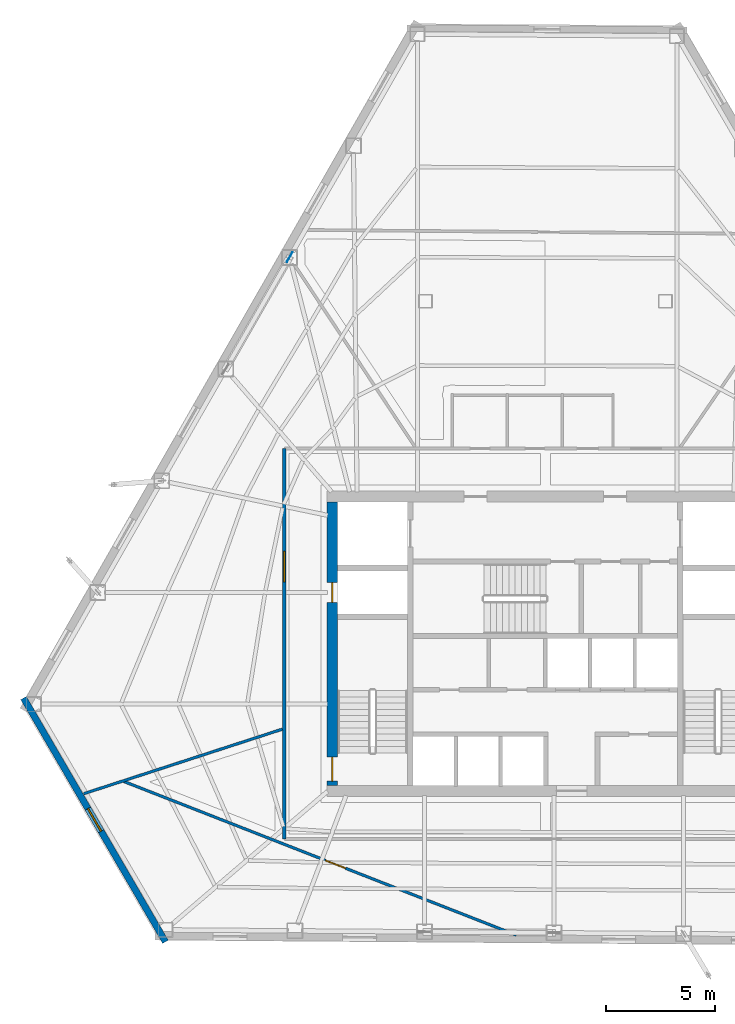
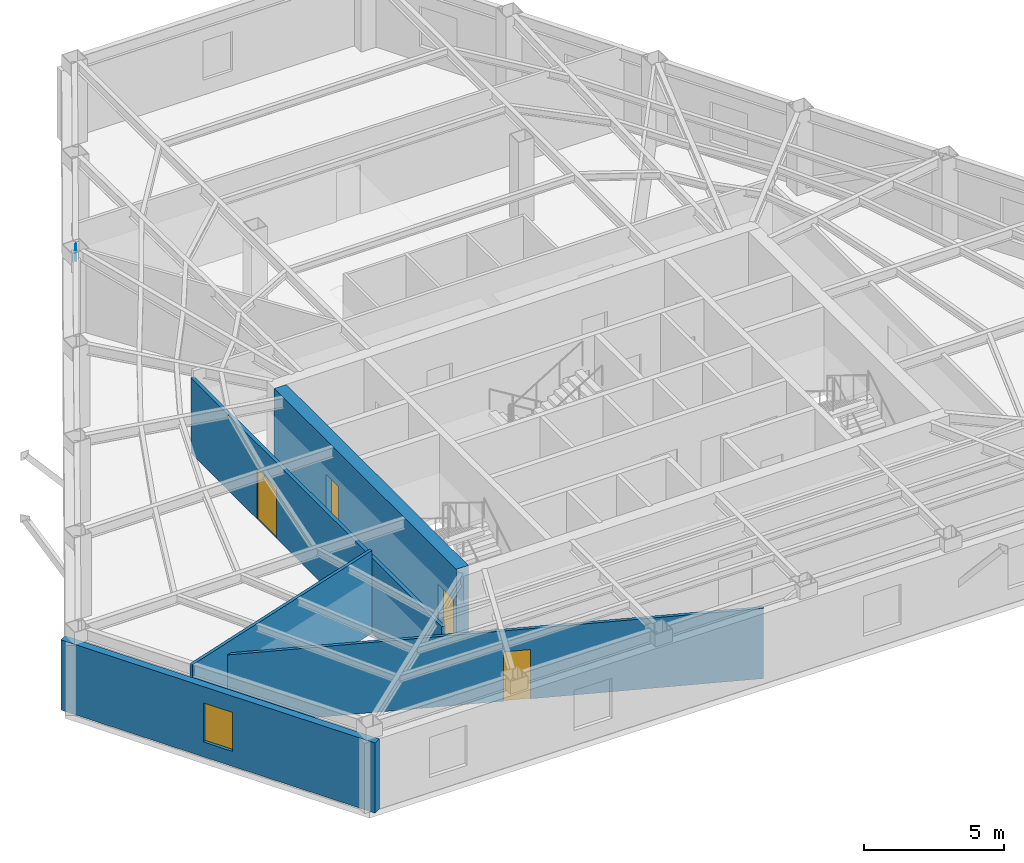
# One storey, part 8 of 13: 5 walls, 4 doors, 1 plate, 1 window, 5 openings.
"""IFC4 building model written with IfcOpenShell, lengths in metres."""

import ifcopenshell
import ifcopenshell.guid

model = None  # the IFC model being written
_history = None  # IfcOwnerHistory: only IFC2X3 demands one
_inside = {}  # id of a spatial element -> (the spatial element, [elements in it])
_under = {}  # id of a project, library or spatial element -> (it, [spatial elements below it])
_declared = {}  # id of a project -> (the project, [libraries it declares])
_typed = {}  # id of a type object -> (the type object, [elements of that type])
_made_of = {}  # id of a material, layer set ... -> (it, [elements and type objects made of it])


def new_model(schema):
    """Start an empty IFC model of exactly this schema.

    Asked for "IFC4X3", IfcOpenShell would pick the latest addendum, in which some entities
    have other attributes; the version numbers below select the first issue.
    IFC2X3 requires an IfcOwnerHistory on every rooted entity: one is made here for all.
    """
    global model, _history
    if schema == "IFC4X3":
        model = ifcopenshell.file(schema_version=(4, 3, 0, 0))
    else:
        model = ifcopenshell.file(schema=schema)
    _inside.clear()
    _under.clear()
    _declared.clear()
    _typed.clear()
    _made_of.clear()
    _history = None
    if model.schema == "IFC2X3":
        org = make("IfcOrganization", Name="unknown")
        user = make(
            "IfcPersonAndOrganization",
            ThePerson=make("IfcPerson", FamilyName="unknown"),
            TheOrganization=org,
        )
        app = make(
            "IfcApplication",
            ApplicationDeveloper=org,
            Version="unknown",
            ApplicationFullName="unknown",
            ApplicationIdentifier="unknown",
        )
        _history = make(
            "IfcOwnerHistory",
            OwningUser=user,
            OwningApplication=app,
            ChangeAction="ADDED",
            CreationDate=0,
        )
    return model


def make(cls, **values):
    """One entity of the class cls with the attributes given. An attribute that is None is left unset."""
    return model.create_entity(
        cls, **{name: value for name, value in values.items() if value is not None}
    )


def rooted(cls, **values):
    """An entity with a GlobalId (a new one), such as an element, a storey or a relation."""
    return make(cls, GlobalId=ifcopenshell.guid.new(), OwnerHistory=_history, **values)


def si_unit(unit_type, name, prefix=None):
    """IfcSIUnit, for example si_unit("LENGTHUNIT", "METRE", prefix="MILLI")."""
    return make("IfcSIUnit", UnitType=unit_type, Prefix=prefix, Name=name)


def assignment(units):
    """IfcUnitAssignment: the units of a project."""
    return None if units is None else make("IfcUnitAssignment", Units=units)


def point(xyz):
    """IfcCartesianPoint."""
    return None if xyz is None else make("IfcCartesianPoint", Coordinates=xyz)


def direction(xyz):
    """IfcDirection."""
    return None if xyz is None else make("IfcDirection", DirectionRatios=xyz)


def frame(location, z_axis=None, x_axis=None):
    """IfcAxis2Placement3D, a coordinate frame: its origin and axes. An axis left out is left unset."""
    return make(
        "IfcAxis2Placement3D",
        Location=point(location),
        Axis=direction(z_axis),
        RefDirection=direction(x_axis),
    )


def frame_2d(location, x_axis=None):
    """IfcAxis2Placement2D, a coordinate frame in the plane: its origin and x axis."""
    return make(
        "IfcAxis2Placement2D", Location=point(location), RefDirection=direction(x_axis)
    )


def origin():
    """The frame at (0, 0, 0) with its axes left unset."""
    return frame((0.0, 0.0, 0.0))


def origin_2d():
    """The frame at (0, 0) in the plane with its x axis left unset."""
    return frame_2d((0.0, 0.0))


def place(relative_to, where):
    """IfcLocalPlacement: puts the frame where relative to a parent placement (None: the world)."""
    return make(
        "IfcLocalPlacement", PlacementRelTo=relative_to, RelativePlacement=where
    )


def context(
    kind, dimensions, precision=None, world=None, true_north=None, identifier=None
):
    """IfcGeometricRepresentationContext, for example the 3D "Model" context."""
    return make(
        "IfcGeometricRepresentationContext",
        ContextIdentifier=identifier,
        ContextType=kind,
        CoordinateSpaceDimension=dimensions,
        Precision=precision,
        WorldCoordinateSystem=world,
        TrueNorth=true_north,
    )


def subcontext(parent, identifier, kind, view, scale=None):
    """IfcGeometricRepresentationSubContext, for example "Body" below "Model"."""
    return make(
        "IfcGeometricRepresentationSubContext",
        ContextIdentifier=identifier,
        ContextType=kind,
        ParentContext=parent,
        TargetScale=scale,
        TargetView=view,
    )


def project(units=None, contexts=None):
    """IfcProject with its units and contexts."""
    return rooted(
        "IfcProject",
        Name="project",
        RepresentationContexts=contexts,
        UnitsInContext=assignment(units),
    )


def spatial(cls, under=None, at=None, **own):
    """A site, building, storey or space (cls), placed at a placement, below another one or the project."""
    s = rooted(cls, ObjectPlacement=at, **own)
    if under is not None:
        _under.setdefault(under.id(), (under, []))[1].append(s)
    return s


def profile(cls, at=None, kind="AREA", **sizes):
    """A parametric profile (cls). Its sizes go by their IFC names, for example OverallWidth=200.0."""
    return make(cls, ProfileType=kind, Position=at, **sizes)


def rectangle(**sizes):
    """IfcRectangleProfileDef."""
    return profile("IfcRectangleProfileDef", **sizes)


def extrude(swept, where, along, depth):
    """IfcExtrudedAreaSolid: the profile swept, set in the frame where, extruded along a direction by depth."""
    return make(
        "IfcExtrudedAreaSolid",
        SweptArea=swept,
        Position=where,
        ExtrudedDirection=direction(along),
        Depth=depth,
    )


def shape(context_of_items, identifier, shape_type, items):
    """IfcShapeRepresentation: the items that make up one representation, for example the "Body"."""
    return make(
        "IfcShapeRepresentation",
        ContextOfItems=context_of_items,
        RepresentationIdentifier=identifier,
        RepresentationType=shape_type,
        Items=items,
    )


def material(Name=None, Category=None):
    """IfcMaterial."""
    return make("IfcMaterial", Name=Name, Category=Category)


def layer(
    of_material, thickness, ventilated=None, Name=None, Category=None, Priority=None
):
    """IfcMaterialLayer: one layer of a wall or slab, of a material (None: an air gap)."""
    return make(
        "IfcMaterialLayer",
        Material=of_material,
        LayerThickness=thickness,
        IsVentilated=ventilated,
        Name=Name,
        Category=Category,
        Priority=Priority,
    )


def layer_set(layers, Name=None):
    """IfcMaterialLayerSet."""
    return make("IfcMaterialLayerSet", MaterialLayers=layers, LayerSetName=Name)


def made_of(thing, what):
    """Note that an element or type object is made of a material, layer set ...; save() writes the relation."""
    if what is not None:
        _made_of.setdefault(what.id(), (what, []))[1].append(thing)
    return thing


def type_object(cls, material=None, **own):
    """A type object (cls), such as IfcWallType, which elements share."""
    return made_of(rooted(cls, **own), material)


def element(
    cls,
    number,
    at=None,
    inside=None,
    cuts=None,
    type_object=None,
    material=None,
    context=None,
    identifier="Body",
    shape_type=None,
    held_by="IfcProductDefinitionShape",
    body=None,
    shapes=None,
    **own,
):
    """One element of the class cls, such as IfcWall. Its Tag is "e" and its number.

    at: its placement. inside: the storey or other place that contains it. cuts: it is an
    opening in that element (IfcRelVoidsElement). A single representation is given by context,
    identifier, shape_type and body (its items); several are given by shapes. held_by: the class
    of the entity that holds the representations. save() writes the other relations.
    """
    e = rooted(cls, Tag="e%d" % number, ObjectPlacement=at, **own)
    if body is not None:
        shapes = [shape(context, identifier, shape_type, body)]
    if shapes is not None:
        e.Representation = make(held_by, Representations=shapes)
    if inside is not None:
        _inside.setdefault(inside.id(), (inside, []))[1].append(e)
    if cuts is not None:
        rooted(
            "IfcRelVoidsElement", RelatingBuildingElement=cuts, RelatedOpeningElement=e
        )
    if type_object is not None:
        _typed.setdefault(type_object.id(), (type_object, []))[1].append(e)
    return made_of(e, material)


def fill(opening, filler):
    """IfcRelFillsElement: the door or window that sits in an opening."""
    return rooted(
        "IfcRelFillsElement",
        RelatingOpeningElement=opening,
        RelatedBuildingElement=filler,
    )


def aggregate(whole, parts):
    """IfcRelAggregates: a whole, such as a stair, and the parts it consists of."""
    return rooted("IfcRelAggregates", RelatingObject=whole, RelatedObjects=parts)


def save(model, path):
    """Write the relations noted so far, then the file.

    IfcRelAggregates (storeys below a building ...), IfcRelContainedInSpatialStructure (elements
    in a storey), IfcRelDefinesByType, IfcRelAssociatesMaterial and IfcRelDeclares: one each for
    every whole, place, type object, material and project.
    """
    for whole, parts in _under.values():
        aggregate(whole, parts)
    for where, things in _inside.values():
        rooted(
            "IfcRelContainedInSpatialStructure",
            RelatedElements=things,
            RelatingStructure=where,
        )
    for kind, things in _typed.values():
        rooted("IfcRelDefinesByType", RelatedObjects=things, RelatingType=kind)
    for what, things in _made_of.values():
        rooted("IfcRelAssociatesMaterial", RelatedObjects=things, RelatingMaterial=what)
    for by, libraries in _declared.values():
        rooted("IfcRelDeclares", RelatingContext=by, RelatedDefinitions=libraries)
    model.write(path)


model = new_model("IFC4")

# Units and contexts
model_context = context("Model", 3, precision=1e-05, world=origin(), true_north=direction((0.0, 1.0)))
body_context = subcontext(model_context, "Body", "Model", "MODEL_VIEW")
ifc_project = project(units=[si_unit("LENGTHUNIT", "METRE"), si_unit("AREAUNIT", "SQUARE_METRE"), si_unit("VOLUMEUNIT", "CUBIC_METRE"), si_unit("PLANEANGLEUNIT", "RADIAN"), si_unit("MASSUNIT", "GRAM", prefix="KILO")], contexts=[model_context])

# Site, building, storey
site_placement = place(None, origin())
site = spatial("IfcSite", under=ifc_project, at=site_placement, CompositionType="ELEMENT")
building_placement = place(site_placement, origin())
building = spatial("IfcBuilding", under=site, at=building_placement, Name="Kavelnor Concourse Tower", CompositionType="ELEMENT")
storey_placement = place(building_placement, frame((0.0, 0.0, 116.300048828125)))
storey = spatial("IfcBuildingStorey", under=building, at=storey_placement, Name="L29", CompositionType="ELEMENT", Elevation=116.300048828125)

# Plate
ifc_material_1 = material(Name="Steel Grade 350", Category="steel")
ifc_layer_1 = layer(ifc_material_1, 0.031982421875, Name="Steel Grade 350")
ifc_layer_set_1 = layer_set([ifc_layer_1], Name="Steel Grade 350")
plate_type = type_object("IfcPlateType", Name="PL-GUSSET-TUBE-Z1", PredefinedType="USERDEFINED", material=ifc_layer_set_1)
plate_placement = place(storey_placement, frame((26.27783203125, 33.82080078125, 3.12353515625), z_axis=(0.0, 0.0, 1.0), x_axis=(0.496822499816, 0.867852178471, 0.0)))
element("IfcPlate", 1, at=plate_placement, inside=storey, type_object=plate_type, Name="L29 Tube Brace Gusset GP3 F0-B2 End Gusset B", ObjectType="GUSSET_PLATE", PredefinedType="USERDEFINED", context=body_context, shape_type="SweptSolid", body=[
    extrude(rectangle(XDim=0.52001953125, YDim=0.031982421875, at=origin_2d()), origin(), (0.0, 0.0, 1.0), 0.419921875),
])

# Wall, openings, doors
ifc_material_2 = material(Name="Concrete C60/75", Category="concrete")
ifc_layer_2 = layer(ifc_material_2, 0.5, Name="Concrete C60/75")
ifc_layer_set_2 = layer_set([ifc_layer_2], Name="Concrete C60/75")
wall_type_1 = type_object("IfcWallType", Name="WL-CORE-Z2-500", PredefinedType="SOLIDWALL", material=ifc_layer_set_2)
wall_1_placement = place(storey_placement, frame((28.22998046875, 9.60009765625, 0.0), z_axis=(0.0, 0.0, 1.0), x_axis=(0.0, 1.0, 0.0)))
wall_1 = element("IfcWall", 2, at=wall_1_placement, inside=storey, type_object=wall_type_1, Name="L29 Central Core West Shear Wall", PredefinedType="SOLIDWALL", context=body_context, shape_type="SweptSolid", body=[
    extrude(rectangle(XDim=13.0, YDim=0.5, at=frame_2d((6.5, 0.0))), origin(), (0.0, 0.0, 1.0), 3.599853515625),
])
opening_1_placement = place(wall_1_placement, frame((0.199951171875, 0.0, 0.0)))
opening_1 = element("IfcOpeningElement", 3, at=opening_1_placement, cuts=wall_1, Name="Opening FD-110", PredefinedType="OPENING", context=body_context, shape_type="SweptSolid", body=[
    extrude(rectangle(XDim=1.10009765625, YDim=2.14990234375, at=frame_2d((0.550048828125, 1.074951171875))), frame((0.0, 0.260009765625, 0.0), z_axis=(0.0, -1.0, 0.0), x_axis=(1.0, 0.0, 0.0)), (0.0, 0.0, 1.0), 0.52001953125),
])
opening_2_placement = place(wall_1_placement, frame((8.39990234375, 0.0, 0.0)))
opening_2 = element("IfcOpeningElement", 4, at=opening_2_placement, cuts=wall_1, Name="Opening FD-090", PredefinedType="OPENING", context=body_context, shape_type="SweptSolid", body=[
    extrude(rectangle(XDim=0.89990234375, YDim=2.10009765625, at=frame_2d((0.449951171875, 1.050048828125))), frame((0.0, 0.260009765625, 0.0), z_axis=(0.0, -1.0, 0.0), x_axis=(1.0, 0.0, 0.0)), (0.0, 0.0, 1.0), 0.52001953125),
])
door_type_1 = type_object("IfcDoorType", Name="DR-RISER-FIRE-900", OperationType="NOTDEFINED", PredefinedType="DOOR", material=ifc_material_1)
door_1_placement = place(opening_2_placement, origin())
door_1 = element("IfcDoor", 5, at=door_1_placement, inside=storey, type_object=door_type_1, Name="L29 West Riser Access Door", OperationType="SINGLE_SWING_RIGHT", OverallHeight=2.10009765625, OverallWidth=0.89990234375, PredefinedType="DOOR", context=body_context, shape_type="SweptSolid", body=[
    extrude(rectangle(XDim=0.89990234375, YDim=2.10009765625, at=frame_2d((0.449951171875, 1.050048828125))), frame((0.0, 0.02490234375, 0.0), z_axis=(0.0, -1.0, 0.0), x_axis=(1.0, 0.0, 0.0)), (0.0, 0.0, 1.0), 0.050048828125),
])
fill(opening_2, door_1)
door_type_2 = type_object("IfcDoorType", Name="DR-STAIR-FIRE-1100", OperationType="NOTDEFINED", PredefinedType="DOOR", material=ifc_material_1)
door_2_placement = place(opening_1_placement, origin())
door_2 = element("IfcDoor", 6, at=door_2_placement, inside=storey, type_object=door_type_2, Name="L29 Stair ST1 Fire Door", OperationType="SINGLE_SWING_LEFT", OverallHeight=2.14990234375, OverallWidth=1.10009765625, PredefinedType="DOOR", context=body_context, shape_type="SweptSolid", body=[
    extrude(rectangle(XDim=1.10009765625, YDim=2.14990234375, at=frame_2d((0.550048828125, 1.074951171875))), frame((0.0, 0.02490234375, 0.0), z_axis=(0.0, -1.0, 0.0), x_axis=(1.0, 0.0, 0.0)), (0.0, 0.0, 1.0), 0.050048828125),
])
fill(opening_1, door_2)

# Wall, opening, window
ifc_material_3 = material(Name="Buff ironspot clay face brick masonry", Category="masonry")
ifc_layer_3 = layer(ifc_material_3, 0.300048828125, Name="Buff ironspot clay face brick masonry")
ifc_layer_set_3 = layer_set([ifc_layer_3], Name="Buff ironspot clay face brick masonry")
wall_type_2 = type_object("IfcWallType", Name="WL-EXT-BUFF-BRICK-FOLD-300", PredefinedType="STANDARD", material=ifc_layer_set_3)
wall_2_placement = place(storey_placement, frame((20.58447265625, 2.433837890625, 0.0), z_axis=(0.0, 0.0, 1.0), x_axis=(-0.503212324208, 0.864162806863, 0.0)))
wall_2 = element("IfcWall", 7, at=wall_2_placement, inside=storey, type_object=wall_type_2, Name="L29 Exterior Brick Facade Wall E2", PredefinedType="STANDARD", context=body_context, shape_type="SweptSolid", body=[
    extrude(rectangle(XDim=12.93115234375, YDim=0.300048828125, at=frame_2d((6.465576171875, 0.0))), origin(), (0.0, 0.0, 1.0), 3.058837890625),
])
opening_3_placement = place(wall_2_placement, frame((5.865478515625, 0.0, 0.64990234375)))
opening_3 = element("IfcOpeningElement", 8, at=opening_3_placement, cuts=wall_2, Name="Opening W-05", PredefinedType="OPENING", context=body_context, shape_type="SweptSolid", body=[
    extrude(rectangle(XDim=1.199951171875, YDim=1.699951171875, at=frame_2d((0.60009765625, 0.85009765625))), frame((0.0, 0.16015625, 0.0), z_axis=(0.0, -1.0, 0.0), x_axis=(1.0, 0.0, 0.0)), (0.0, 0.0, 1.0), 0.320068359375),
])
ifc_material_4 = material(Name="Double low-E argon insulated glazing", Category="glass")
window_type = type_object("IfcWindowType", Name="WIN-FOLD-1200", PartitioningType="SINGLE_PANEL", PredefinedType="WINDOW", material=ifc_material_4)
window_placement = place(opening_3_placement, origin())
window = element("IfcWindow", 9, at=window_placement, inside=storey, type_object=window_type, Name="L29 Chamfer-Fold Facet Window C1", OverallHeight=1.699951171875, OverallWidth=1.199951171875, PartitioningType="SINGLE_PANEL", PredefinedType="WINDOW", context=body_context, shape_type="SweptSolid", body=[
    extrude(rectangle(XDim=1.199951171875, YDim=1.699951171875, at=frame_2d((0.60009765625, 0.85009765625))), frame((0.0, 0.030029296875, 0.0), z_axis=(0.0, -1.0, 0.0), x_axis=(1.0, 0.0, 0.0)), (0.0, 0.0, 1.0), 0.06005859375),
])
fill(opening_3, window)

# Wall, opening, door
ifc_material_5 = material(Name="Gypsum plasterboard on light-gauge steel studs", Category="steel")
ifc_layer_4 = layer(ifc_material_5, 0.14501953125, Name="Gypsum plasterboard on light-gauge steel studs")
ifc_layer_set_4 = layer_set([ifc_layer_4], Name="Gypsum plasterboard on light-gauge steel studs")
wall_type_3 = type_object("IfcWallType", Name="WL-INT-CORR-145", PredefinedType="PARTITIONING", material=ifc_layer_set_4)
wall_3_placement = place(storey_placement, frame((26.030029296875, 25.050048828125, 0.0), z_axis=(0.0, 0.0, 1.0), x_axis=(0.0, -1.0, 0.0)))
wall_3 = element("IfcWall", 10, at=wall_3_placement, inside=storey, type_object=wall_type_3, Name="L29 Corridor Wall WL-L29-CR-03", PredefinedType="PARTITIONING", context=body_context, shape_type="SweptSolid", body=[
    extrude(rectangle(XDim=17.900146484375, YDim=0.14501953125, at=frame_2d((8.9501953125, 0.0))), origin(), (0.0, 0.0, 1.0), 3.287841796875),
])
opening_4_placement = place(wall_3_placement, frame((4.716796875, 0.0, 0.0)))
opening_4 = element("IfcOpeningElement", 11, at=opening_4_placement, cuts=wall_3, Name="Opening SD-140", PredefinedType="OPENING", context=body_context, shape_type="SweptSolid", body=[
    extrude(rectangle(XDim=1.39990234375, YDim=2.199951171875, at=frame_2d((0.699951171875, 1.10009765625))), frame((0.0, 0.08251953125, 0.0), z_axis=(0.0, -1.0, 0.0), x_axis=(1.0, 0.0, 0.0)), (0.0, 0.0, 1.0), 0.1650390625),
])
ifc_material_6 = material(Name="Solid-core hardwood timber", Category="wood")
door_type_3 = type_object("IfcDoorType", Name="DR-SUITE-ENTRY-1400", OperationType="NOTDEFINED", PredefinedType="DOOR", material=ifc_material_6)
door_3_placement = place(opening_4_placement, origin())
door_3 = element("IfcDoor", 12, at=door_3_placement, inside=storey, type_object=door_type_3, Name="L29 Client Concierge 04 Door", OperationType="SINGLE_SWING_RIGHT", OverallHeight=2.199951171875, OverallWidth=1.39990234375, PredefinedType="DOOR", context=body_context, shape_type="SweptSolid", body=[
    extrude(rectangle(XDim=1.39990234375, YDim=2.199951171875, at=frame_2d((0.699951171875, 1.10009765625))), frame((0.0, 0.02490234375, 0.0), z_axis=(0.0, -1.0, 0.0), x_axis=(1.0, 0.0, 0.0)), (0.0, 0.0, 1.0), 0.050048828125),
])
fill(opening_4, door_3)

# Wall
ifc_layer_5 = layer(ifc_material_5, 0.125, Name="Gypsum plasterboard on light-gauge steel studs")
ifc_layer_set_5 = layer_set([ifc_layer_5], Name="Gypsum plasterboard on light-gauge steel studs")
wall_type_4 = type_object("IfcWallType", Name="WL-INT-SUITE-125", PredefinedType="PARTITIONING", material=ifc_layer_set_5)
wall_4_placement = place(storey_placement, frame((25.949462890625, 12.1845703125, 0.0), z_axis=(0.0, 0.0, 1.0), x_axis=(-0.951052973062, -0.309027899113, 0.0)))
element("IfcWall", 13, at=wall_4_placement, inside=storey, type_object=wall_type_4, Name="L29 Radial Suite Partition 03", PredefinedType="PARTITIONING", context=body_context, shape_type="SweptSolid", body=[
    extrude(rectangle(XDim=9.584716796875, YDim=0.125, at=frame_2d((4.79248046875, 0.0))), origin(), (0.0, 0.0, 1.0), 3.599853515625),
])

# Wall, opening, door
wall_5_placement = place(storey_placement, frame((18.645751953125, 9.795654296875, 0.0), z_axis=(0.0, 0.0, 1.0), x_axis=(0.931196254874, -0.364518223014, 0.0)))
wall_5 = element("IfcWall", 14, at=wall_5_placement, inside=storey, type_object=wall_type_4, Name="L29 Suite Subdivision Partition 04", PredefinedType="PARTITIONING", context=body_context, shape_type="SweptSolid", body=[
    extrude(rectangle(XDim=19.35888671875, YDim=0.125, at=frame_2d((9.679443359375, 0.0))), origin(), (0.0, 0.0, 1.0), 3.06201171875),
])
opening_5_placement = place(wall_5_placement, frame((9.962890625, 0.0, 0.0)))
opening_5 = element("IfcOpeningElement", 15, at=opening_5_placement, cuts=wall_5, Name="Opening OD-098", PredefinedType="OPENING", context=body_context, shape_type="SweptSolid", body=[
    extrude(rectangle(XDim=0.97998046875, YDim=2.14990234375, at=frame_2d((0.489990234375, 1.074951171875))), frame((0.0, 0.072509765625, 0.0), z_axis=(0.0, -1.0, 0.0), x_axis=(1.0, 0.0, 0.0)), (0.0, 0.0, 1.0), 0.14501953125),
])
door_type_4 = type_object("IfcDoorType", Name="DR-OFFICE-980", OperationType="NOTDEFINED", PredefinedType="DOOR", material=ifc_material_6)
door_4_placement = place(opening_5_placement, origin())
door_4 = element("IfcDoor", 16, at=door_4_placement, inside=storey, type_object=door_type_4, Name="L29 Client Concierge 06 Door", OperationType="SINGLE_SWING_RIGHT", OverallHeight=2.14990234375, OverallWidth=0.97998046875, PredefinedType="DOOR", context=body_context, shape_type="SweptSolid", body=[
    extrude(rectangle(XDim=0.97998046875, YDim=2.14990234375, at=frame_2d((0.489990234375, 1.074951171875))), frame((0.0, 0.02490234375, 0.0), z_axis=(0.0, -1.0, 0.0), x_axis=(1.0, 0.0, 0.0)), (0.0, 0.0, 1.0), 0.050048828125),
])
fill(opening_5, door_4)

save(model, "model.ifc")
